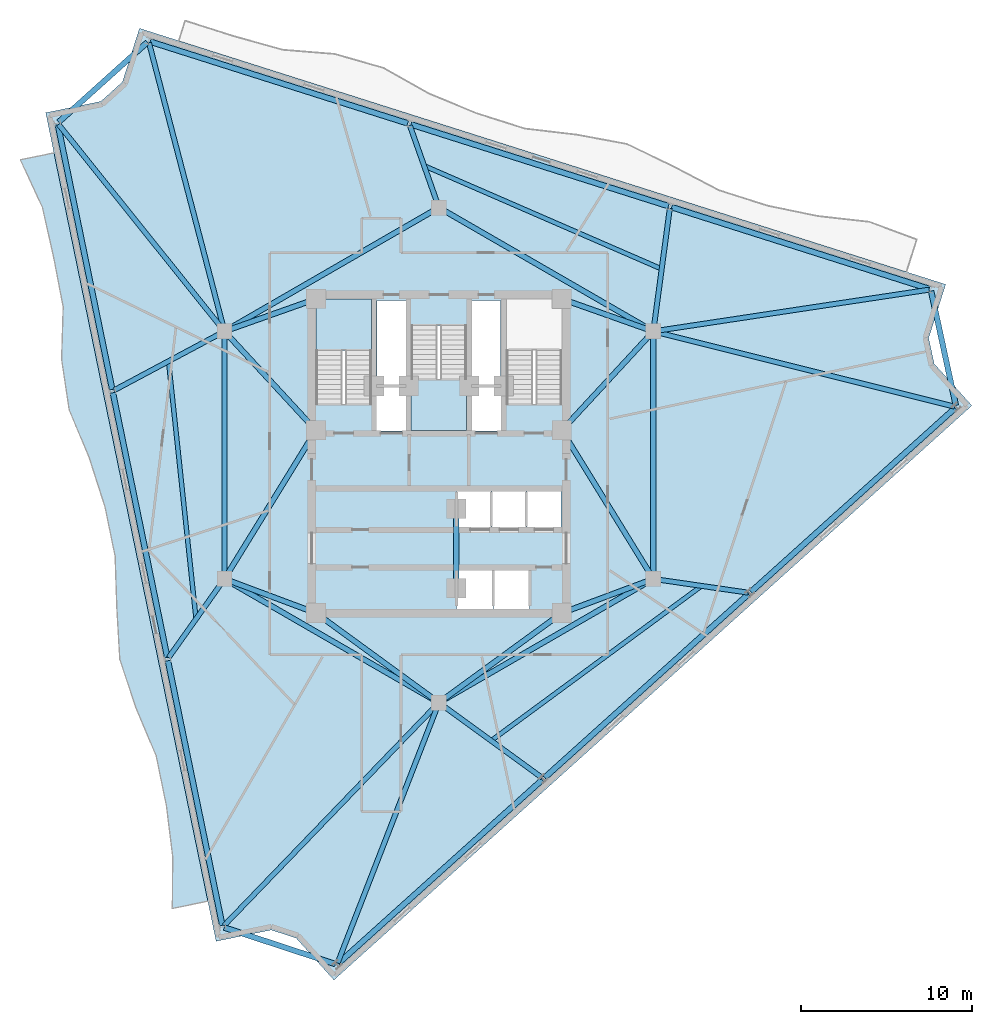
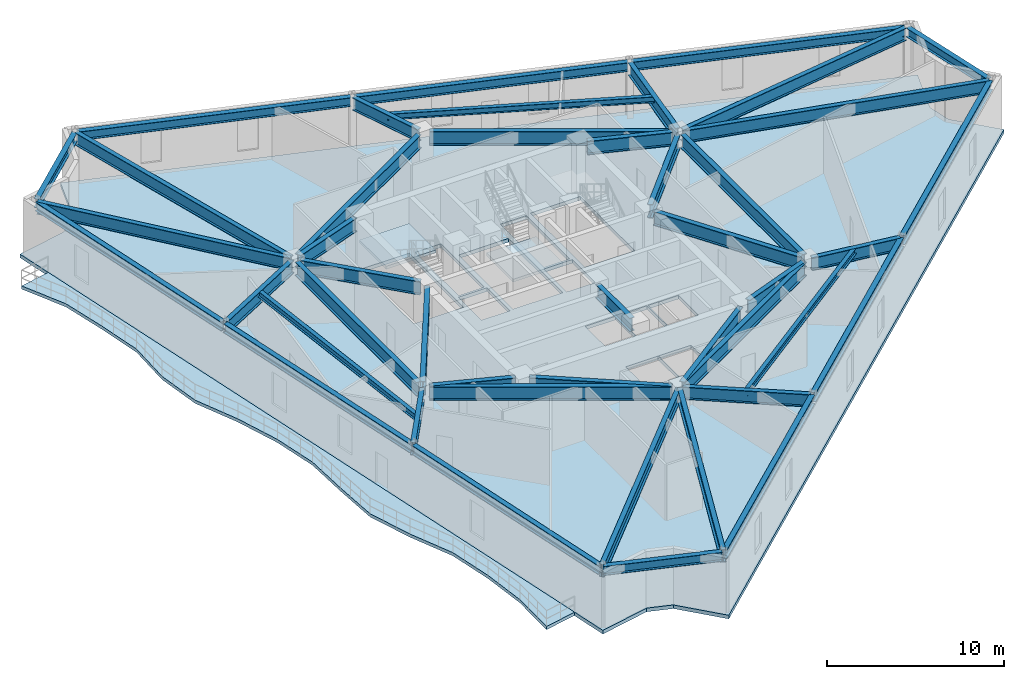
# One storey, part 4 of 11: 44 beams, 4 slabs, 2 elements without a shape of their own.
"""IFC4 building model written with IfcOpenShell, lengths in metres."""

from ifc_helpers import new_model, si_unit, direction, frame, origin, origin_2d, place, context, subcontext, project, spatial, polyline, i_section, outline, extrude, material, layer, layer_set, material_profile, profile_set, type_object, element, aggregate, save


model = new_model("IFC4")

# Units and contexts
model_context = context("Model", 3, precision=1e-05, world=origin(), true_north=direction((0.0, 1.0)))
body_context = subcontext(model_context, "Body", "Model", "MODEL_VIEW")
ifc_project = project(units=[si_unit("LENGTHUNIT", "METRE"), si_unit("AREAUNIT", "SQUARE_METRE"), si_unit("VOLUMEUNIT", "CUBIC_METRE"), si_unit("PLANEANGLEUNIT", "RADIAN"), si_unit("MASSUNIT", "GRAM", prefix="KILO")], contexts=[model_context])

# Site, building, storey
site_placement = place(None, origin())
site = spatial("IfcSite", under=ifc_project, at=site_placement, CompositionType="ELEMENT")
building_placement = place(site_placement, origin())
building = spatial("IfcBuilding", under=site, at=building_placement, Name="Apsidion Concourse Tower", CompositionType="ELEMENT")
storey_placement = place(building_placement, frame((0.0, 0.0, 252.699951171875)))
storey = spatial("IfcBuildingStorey", under=building, at=storey_placement, Name="L59", CompositionType="ELEMENT", Elevation=252.699951171875)

# Beams
ifc_material_1 = material(Name="Structural steel ASTM A992 Grade 50", Category="steel")
ifc_material_profile_1 = material_profile(ifc_material_1, i_section(OverallWidth=0.260009765625, OverallDepth=0.4150390625, WebThickness=0.010009765625, FlangeThickness=0.016845703125, at=origin_2d()), Name="W16X67")
ifc_profile_set_1 = profile_set([ifc_material_profile_1], Name="Structural steel ASTM A992 Grade 50")
beam_type_1 = type_object("IfcBeamType", Name="BM-FL-W16H", PredefinedType="BEAM", material=ifc_profile_set_1)
beam_1_placement = place(storey_placement, frame((-15.83642578125, 5.500732421875, 3.642578125), z_axis=(0.106172030497, -0.994347776153, 0.0), x_axis=(0.994347776153, 0.106172030497, 0.0)))
element("IfcBeam", 1, at=beam_1_placement, inside=storey, type_object=beam_type_1, Name="L59 Secondary Floor Beam SEC-F1", PredefinedType="BEAM", context=body_context, shape_type="SweptSolid", body=[
    extrude(i_section(OverallWidth=0.260009765625, OverallDepth=0.4150390625, WebThickness=0.010009765625, FlangeThickness=0.016845703125, at=origin_2d()), origin(), (0.0, 0.0, 1.0), 15.18359375),
])
beam_2_placement = place(storey_placement, frame((3.060791015625, -16.727294921875, 3.642578125), z_axis=(0.80548434449, 0.592617052389, 0.0), x_axis=(-0.592617052389, 0.80548434449, 0.0)))
element("IfcBeam", 2, at=beam_2_placement, inside=storey, type_object=beam_type_1, Name="L59 Secondary Floor Beam SEC-F2", PredefinedType="BEAM", context=body_context, shape_type="SweptSolid", body=[
    extrude(i_section(OverallWidth=0.260009765625, OverallDepth=0.4150390625, WebThickness=0.010009765625, FlangeThickness=0.016845703125, at=origin_2d()), origin(), (0.0, 0.0, 1.0), 15.301025390625),
])
beam_3_placement = place(storey_placement, frame((13.049560546875, 10.901611328125, 3.642578125), z_axis=(-0.917117371842, 0.398617267897, 0.0), x_axis=(-0.398617267897, -0.917117371842, 0.0)))
element("IfcBeam", 3, at=beam_3_placement, inside=storey, type_object=beam_type_1, Name="L59 Secondary Floor Beam SEC-F3", PredefinedType="BEAM", context=body_context, shape_type="SweptSolid", body=[
    extrude(i_section(OverallWidth=0.260009765625, OverallDepth=0.4150390625, WebThickness=0.010009765625, FlangeThickness=0.016845703125, at=origin_2d()), origin(), (0.0, 0.0, 1.0), 15.173828125),
])
ifc_material_profile_2 = material_profile(ifc_material_1, i_section(OverallWidth=0.2919921875, OverallDepth=0.85888671875, WebThickness=0.01708984375, FlangeThickness=0.031005859375, at=origin_2d()), Name="W33X169")
ifc_profile_set_2 = profile_set([ifc_material_profile_2], Name="Structural steel ASTM A992 Grade 50")
beam_type_2 = type_object("IfcBeamType", Name="BM-G-W33", PredefinedType="USERDEFINED", material=ifc_profile_set_2)
beam_4_placement = place(storey_placement, frame((-12.697509765625, 7.421630859375, 3.420654296875), z_axis=(-0.625472520241, 0.780246196033, 0.0), x_axis=(-0.780246196033, -0.625472520241, 0.0)))
element("IfcBeam", 4, at=beam_4_placement, inside=storey, type_object=beam_type_2, Name="L59 Radial Floor Girder RAD-01", ObjectType="GIRDER", PredefinedType="USERDEFINED", context=body_context, shape_type="SweptSolid", body=[
    extrude(i_section(OverallWidth=0.2919921875, OverallDepth=0.85888671875, WebThickness=0.01708984375, FlangeThickness=0.031005859375, at=origin_2d()), origin(), (0.0, 0.0, 1.0), 15.311767578125),
])
beam_5_placement = place(storey_placement, frame((-12.754150390625, 7.146484375, 3.420654296875), z_axis=(-0.88214083385, -0.470985720861, 0.0), x_axis=(0.470985720861, -0.88214083385, 0.0)))
element("IfcBeam", 5, at=beam_5_placement, inside=storey, type_object=beam_type_2, Name="L59 Radial Floor Girder RAD-02", ObjectType="GIRDER", PredefinedType="USERDEFINED", context=body_context, shape_type="SweptSolid", body=[
    extrude(i_section(OverallWidth=0.2919921875, OverallDepth=0.85888671875, WebThickness=0.01708984375, FlangeThickness=0.031005859375, at=origin_2d()), origin(), (0.0, 0.0, 1.0), 7.1083984375),
])
beam_6_placement = place(storey_placement, frame((-12.687255859375, -7.429443359375, 3.420654296875), z_axis=(-0.578459758238, -0.815710921895, 0.0), x_axis=(0.815710921895, -0.578459758238, 0.0)))
element("IfcBeam", 6, at=beam_6_placement, inside=storey, type_object=beam_type_2, Name="L59 Radial Floor Girder RAD-03", ObjectType="GIRDER", PredefinedType="USERDEFINED", context=body_context, shape_type="SweptSolid", body=[
    extrude(i_section(OverallWidth=0.2919921875, OverallDepth=0.85888671875, WebThickness=0.01708984375, FlangeThickness=0.031005859375, at=origin_2d()), origin(), (0.0, 0.0, 1.0), 5.434326171875),
])
beam_7_placement = place(storey_placement, frame((-0.152587890625, -14.658447265625, 3.420654296875), z_axis=(-0.693982841632, -0.719991538506, 0.0), x_axis=(0.719991538506, -0.693982841632, 0.0)))
element("IfcBeam", 7, at=beam_7_placement, inside=storey, type_object=beam_type_2, Name="L59 Radial Floor Girder RAD-04", ObjectType="GIRDER", PredefinedType="USERDEFINED", context=body_context, shape_type="SweptSolid", body=[
    extrude(i_section(OverallWidth=0.2919921875, OverallDepth=0.85888671875, WebThickness=0.01708984375, FlangeThickness=0.031005859375, at=origin_2d()), origin(), (0.0, 0.0, 1.0), 17.928955078125),
])
beam_8_placement = place(storey_placement, frame((-0.079833984375, -14.705078125, 3.420654296875), z_axis=(-0.36254845311, -0.931964923775, 0.0), x_axis=(0.931964923775, -0.36254845311, 0.0)))
element("IfcBeam", 8, at=beam_8_placement, inside=storey, type_object=beam_type_2, Name="L59 Radial Floor Girder RAD-05", ObjectType="GIRDER", PredefinedType="USERDEFINED", context=body_context, shape_type="SweptSolid", body=[
    extrude(i_section(OverallWidth=0.2919921875, OverallDepth=0.85888671875, WebThickness=0.01708984375, FlangeThickness=0.031005859375, at=origin_2d()), origin(), (0.0, 0.0, 1.0), 16.14013671875),
])
beam_9_placement = place(storey_placement, frame((0.177978515625, -14.62939453125, 3.420654296875), z_axis=(0.808567158699, -0.588403900288, 0.0), x_axis=(0.588403900288, 0.808567158699, 0.0)))
element("IfcBeam", 9, at=beam_9_placement, inside=storey, type_object=beam_type_2, Name="L59 Radial Floor Girder RAD-06", ObjectType="GIRDER", PredefinedType="USERDEFINED", context=body_context, shape_type="SweptSolid", body=[
    extrude(i_section(OverallWidth=0.2919921875, OverallDepth=0.85888671875, WebThickness=0.01708984375, FlangeThickness=0.031005859375, at=origin_2d()), origin(), (0.0, 0.0, 1.0), 7.251220703125),
])
beam_10_placement = place(storey_placement, frame((12.777587890625, -7.281494140625, 3.420654296875), z_axis=(0.98964652534, -0.143526147032, 0.0), x_axis=(0.143526147032, 0.98964652534, 0.0)))
element("IfcBeam", 10, at=beam_10_placement, inside=storey, type_object=beam_type_2, Name="L59 Radial Floor Girder RAD-07", ObjectType="GIRDER", PredefinedType="USERDEFINED", context=body_context, shape_type="SweptSolid", body=[
    extrude(i_section(OverallWidth=0.2919921875, OverallDepth=0.85888671875, WebThickness=0.01708984375, FlangeThickness=0.031005859375, at=origin_2d()), origin(), (0.0, 0.0, 1.0), 5.390625),
])
beam_11_placement = place(storey_placement, frame((12.7734375, 7.19677734375, 3.420654296875), z_axis=(0.97015368983, -0.242490861907, 0.0), x_axis=(0.242490861907, 0.97015368983, 0.0)))
element("IfcBeam", 11, at=beam_11_placement, inside=storey, type_object=beam_type_2, Name="L59 Radial Floor Girder RAD-08", ObjectType="GIRDER", PredefinedType="USERDEFINED", context=body_context, shape_type="SweptSolid", body=[
    extrude(i_section(OverallWidth=0.2919921875, OverallDepth=0.85888671875, WebThickness=0.01708984375, FlangeThickness=0.031005859375, at=origin_2d()), origin(), (0.0, 0.0, 1.0), 17.96630859375),
])
beam_12_placement = place(storey_placement, frame((12.777587890625, 7.282958984375, 3.420654296875), z_axis=(0.988774311252, 0.149416737377, 0.0), x_axis=(-0.149416737377, 0.988774311252, 0.0)))
element("IfcBeam", 12, at=beam_12_placement, inside=storey, type_object=beam_type_2, Name="L59 Radial Floor Girder RAD-09", ObjectType="GIRDER", PredefinedType="USERDEFINED", context=body_context, shape_type="SweptSolid", body=[
    extrude(i_section(OverallWidth=0.2919921875, OverallDepth=0.85888671875, WebThickness=0.01708984375, FlangeThickness=0.031005859375, at=origin_2d()), origin(), (0.0, 0.0, 1.0), 16.11572265625),
])
beam_13_placement = place(storey_placement, frame((12.589111328125, 7.468017578125, 3.420654296875), z_axis=(0.13290103696, 0.99112931264, 0.0), x_axis=(-0.99112931264, 0.13290103696, 0.0)))
element("IfcBeam", 13, at=beam_13_placement, inside=storey, type_object=beam_type_2, Name="L59 Radial Floor Girder RAD-10", ObjectType="GIRDER", PredefinedType="USERDEFINED", context=body_context, shape_type="SweptSolid", body=[
    extrude(i_section(OverallWidth=0.2919921875, OverallDepth=0.85888671875, WebThickness=0.01708984375, FlangeThickness=0.031005859375, at=origin_2d()), origin(), (0.0, 0.0, 1.0), 7.048583984375),
])
beam_14_placement = place(storey_placement, frame((-0.073486328125, 14.70751953125, 3.420654296875), z_axis=(-0.333398660175, 0.94278594251, 0.0), x_axis=(-0.94278594251, -0.333398660175, 0.0)))
element("IfcBeam", 14, at=beam_14_placement, inside=storey, type_object=beam_type_2, Name="L59 Radial Floor Girder RAD-11", ObjectType="GIRDER", PredefinedType="USERDEFINED", context=body_context, shape_type="SweptSolid", body=[
    extrude(i_section(OverallWidth=0.2919921875, OverallDepth=0.85888671875, WebThickness=0.01708984375, FlangeThickness=0.031005859375, at=origin_2d()), origin(), (0.0, 0.0, 1.0), 4.877685546875),
])
beam_15_placement = place(storey_placement, frame((-12.61572265625, 7.462890625, 3.420654296875), z_axis=(-0.253011847296, 0.967463180244, 0.0), x_axis=(-0.967463180244, -0.253011847296, 0.0)))
element("IfcBeam", 15, at=beam_15_placement, inside=storey, type_object=beam_type_2, Name="L59 Radial Floor Girder RAD-12", ObjectType="GIRDER", PredefinedType="USERDEFINED", context=body_context, shape_type="SweptSolid", body=[
    extrude(i_section(OverallWidth=0.2919921875, OverallDepth=0.85888671875, WebThickness=0.01708984375, FlangeThickness=0.031005859375, at=origin_2d()), origin(), (0.0, 0.0, 1.0), 17.249267578125),
])
ifc_material_profile_3 = material_profile(ifc_material_1, i_section(OverallWidth=0.31005859375, OverallDepth=0.931884765625, WebThickness=0.02099609375, FlangeThickness=0.034423828125, at=origin_2d()), Name="W36X210")
ifc_profile_set_3 = profile_set([ifc_material_profile_3], Name="Structural steel ASTM A992 Grade 50")
beam_type_3 = type_object("IfcBeamType", Name="BM-G-W36", PredefinedType="USERDEFINED", material=ifc_profile_set_3)
beam_16_placement = place(storey_placement, frame((-12.185302734375, -7.389892578125, 3.384033203125), z_axis=(0.936913021145, -0.349562570664, 0.0), x_axis=(0.349562570664, 0.936913021145, 0.0)))
element("IfcBeam", 16, at=beam_16_placement, inside=storey, type_object=beam_type_3, Name="L59 Core Coupling Girder IC1-SC1", ObjectType="GIRDER", PredefinedType="USERDEFINED", context=body_context, shape_type="SweptSolid", body=[
    extrude(i_section(OverallWidth=0.31005859375, OverallDepth=0.931884765625, WebThickness=0.02099609375, FlangeThickness=0.034423828125, at=origin_2d()), origin(), (0.0, 0.0, 1.0), 4.921142578125),
])
beam_17_placement = place(storey_placement, frame((-12.35009765625, -6.909423828125, 3.384033203125), z_axis=(0.524524009763, 0.851395656074, 0.0), x_axis=(-0.851395656074, 0.524524009763, 0.0)))
element("IfcBeam", 17, at=beam_17_placement, inside=storey, type_object=beam_type_3, Name="L59 Core Coupling Girder IC1-SC6", ObjectType="GIRDER", PredefinedType="USERDEFINED", context=body_context, shape_type="SweptSolid", body=[
    extrude(i_section(OverallWidth=0.31005859375, OverallDepth=0.931884765625, WebThickness=0.02099609375, FlangeThickness=0.034423828125, at=origin_2d()), origin(), (0.0, 0.0, 1.0), 9.41845703125),
])
beam_18_placement = place(storey_placement, frame((12.185302734375, -7.389892578125, 3.384033203125), z_axis=(-0.936913021145, -0.349562570664, 0.0), x_axis=(0.349562570664, -0.936913021145, 0.0)))
element("IfcBeam", 18, at=beam_18_placement, inside=storey, type_object=beam_type_3, Name="L59 Core Coupling Girder IC2-SC2", ObjectType="GIRDER", PredefinedType="USERDEFINED", context=body_context, shape_type="SweptSolid", body=[
    extrude(i_section(OverallWidth=0.31005859375, OverallDepth=0.931884765625, WebThickness=0.02099609375, FlangeThickness=0.034423828125, at=origin_2d()), origin(), (0.0, 0.0, 1.0), 4.921142578125),
])
beam_19_placement = place(storey_placement, frame((12.35009765625, -6.909423828125, 3.384033203125), z_axis=(-0.524524009763, 0.851395656074, 0.0), x_axis=(-0.851395656074, -0.524524009763, 0.0)))
element("IfcBeam", 19, at=beam_19_placement, inside=storey, type_object=beam_type_3, Name="L59 Core Coupling Girder IC2-SC3", ObjectType="GIRDER", PredefinedType="USERDEFINED", context=body_context, shape_type="SweptSolid", body=[
    extrude(i_section(OverallWidth=0.31005859375, OverallDepth=0.931884765625, WebThickness=0.02099609375, FlangeThickness=0.034423828125, at=origin_2d()), origin(), (0.0, 0.0, 1.0), 9.41845703125),
])
beam_20_placement = place(storey_placement, frame((12.28857421875, 6.956298828125, 3.384033203125), z_axis=(-0.678712876106, -0.73440372535, 0.0), x_axis=(0.73440372535, -0.678712876106, 0.0)))
element("IfcBeam", 20, at=beam_20_placement, inside=storey, type_object=beam_type_3, Name="L59 Core Coupling Girder IC3-SC3", ObjectType="GIRDER", PredefinedType="USERDEFINED", context=body_context, shape_type="SweptSolid", body=[
    extrude(i_section(OverallWidth=0.31005859375, OverallDepth=0.931884765625, WebThickness=0.02099609375, FlangeThickness=0.034423828125, at=origin_2d()), origin(), (0.0, 0.0, 1.0), 7.097412109375),
])
beam_21_placement = place(storey_placement, frame((12.18310546875, 7.383544921875, 3.384033203125), z_axis=(-0.942533844539, 0.334110688094, 0.0), x_axis=(-0.334110688094, -0.942533844539, 0.0)))
element("IfcBeam", 21, at=beam_21_placement, inside=storey, type_object=beam_type_3, Name="L59 Core Coupling Girder IC3-SC4", ObjectType="GIRDER", PredefinedType="USERDEFINED", context=body_context, shape_type="SweptSolid", body=[
    extrude(i_section(OverallWidth=0.31005859375, OverallDepth=0.931884765625, WebThickness=0.02099609375, FlangeThickness=0.034423828125, at=origin_2d()), origin(), (0.0, 0.0, 1.0), 4.886962890625),
])
beam_22_placement = place(storey_placement, frame((-12.28857421875, 6.956298828125, 3.384033203125), z_axis=(0.678712876106, -0.73440372535, 0.0), x_axis=(0.73440372535, 0.678712876106, 0.0)))
element("IfcBeam", 22, at=beam_22_placement, inside=storey, type_object=beam_type_3, Name="L59 Core Coupling Girder IC5-SC6", ObjectType="GIRDER", PredefinedType="USERDEFINED", context=body_context, shape_type="SweptSolid", body=[
    extrude(i_section(OverallWidth=0.31005859375, OverallDepth=0.931884765625, WebThickness=0.02099609375, FlangeThickness=0.034423828125, at=origin_2d()), origin(), (0.0, 0.0, 1.0), 7.097412109375),
])
beam_23_placement = place(storey_placement, frame((-12.18310546875, 7.383544921875, 3.384033203125), z_axis=(0.942533844539, 0.334110688094, 0.0), x_axis=(-0.334110688094, 0.942533844539, 0.0)))
element("IfcBeam", 23, at=beam_23_placement, inside=storey, type_object=beam_type_3, Name="L59 Core Coupling Girder IC5-SC5", ObjectType="GIRDER", PredefinedType="USERDEFINED", context=body_context, shape_type="SweptSolid", body=[
    extrude(i_section(OverallWidth=0.31005859375, OverallDepth=0.931884765625, WebThickness=0.02099609375, FlangeThickness=0.034423828125, at=origin_2d()), origin(), (0.0, 0.0, 1.0), 4.886962890625),
])
for number, where, z_axis, x_axis, name in (
    (24, (-0.3232421875, -14.264404296875, 3.384033203125), (-0.807993498909, 0.589191399905, 0.0), (-0.589191399905, -0.807993498909, 0.0), "L59 Core Coupling Girder IC6-SC1"),
    (25, (0.3232421875, -14.264404296875, 3.384033203125), (0.807993498909, 0.589191399905, 0.0), (-0.589191399905, 0.807993498909, 0.0), "L59 Core Coupling Girder IC6-SC2"),
):
    element("IfcBeam", number, at=place(storey_placement, frame(where, z_axis=z_axis, x_axis=x_axis)), inside=storey, type_object=beam_type_3, Name=name, ObjectType="GIRDER", PredefinedType="USERDEFINED", context=body_context, shape_type="SweptSolid", body=[
        extrude(i_section(OverallWidth=0.31005859375, OverallDepth=0.931884765625, WebThickness=0.02099609375, FlangeThickness=0.034423828125, at=origin_2d()), origin(), (0.0, 0.0, 1.0), 8.11083984375),
    ])
beam_24_placement = place(storey_placement, frame((-12.56005859375, -6.85009765625, 3.384033203125), z_axis=(0.0, 1.0, 0.0), x_axis=(-1.0, 0.0, 0.0)))
element("IfcBeam", 26, at=beam_24_placement, inside=storey, type_object=beam_type_3, Name="L59 Core Coupling Girder IC1-IC5", ObjectType="GIRDER", PredefinedType="USERDEFINED", context=body_context, shape_type="SweptSolid", body=[
    extrude(i_section(OverallWidth=0.31005859375, OverallDepth=0.931884765625, WebThickness=0.02099609375, FlangeThickness=0.034423828125, at=origin_2d()), origin(), (0.0, 0.0, 1.0), 13.7001953125),
])
for number, where, z_axis, x_axis, name in (
    (27, (-12.213623046875, 7.449951171875, 3.384033203125), (0.866070471464, 0.499921932364, 0.0), (-0.499921932364, 0.866070471464, 0.0), "L59 Core Coupling Girder IC5-IC4"),
    (28, (0.346435546875, 14.300048828125, 3.384033203125), (0.866070471464, -0.499921932364, 0.0), (0.499921932364, 0.866070471464, 0.0), "L59 Core Coupling Girder IC4-IC3"),
):
    element("IfcBeam", number, at=place(storey_placement, frame(where, z_axis=z_axis, x_axis=x_axis)), inside=storey, type_object=beam_type_3, Name=name, ObjectType="GIRDER", PredefinedType="USERDEFINED", context=body_context, shape_type="SweptSolid", body=[
        extrude(i_section(OverallWidth=0.31005859375, OverallDepth=0.931884765625, WebThickness=0.02099609375, FlangeThickness=0.034423828125, at=origin_2d()), origin(), (0.0, 0.0, 1.0), 13.702392578125),
    ])
beam_25_placement = place(storey_placement, frame((12.56005859375, 6.85009765625, 3.384033203125), z_axis=(0.0, -1.0, 0.0), x_axis=(1.0, 0.0, 0.0)))
element("IfcBeam", 29, at=beam_25_placement, inside=storey, type_object=beam_type_3, Name="L59 Core Coupling Girder IC3-IC2", ObjectType="GIRDER", PredefinedType="USERDEFINED", context=body_context, shape_type="SweptSolid", body=[
    extrude(i_section(OverallWidth=0.31005859375, OverallDepth=0.931884765625, WebThickness=0.02099609375, FlangeThickness=0.034423828125, at=origin_2d()), origin(), (0.0, 0.0, 1.0), 13.7001953125),
])
for number, where, z_axis, x_axis, name in (
    (30, (12.213623046875, -7.449951171875, 3.384033203125), (-0.866070471464, -0.499921932364, 0.0), (0.499921932364, -0.866070471464, 0.0), "L59 Core Coupling Girder IC2-IC6"),
    (31, (-0.346435546875, -14.300048828125, 3.384033203125), (-0.866070471464, 0.499921932364, 0.0), (-0.499921932364, -0.866070471464, 0.0), "L59 Core Coupling Girder IC6-IC1"),
):
    element("IfcBeam", number, at=place(storey_placement, frame(where, z_axis=z_axis, x_axis=x_axis)), inside=storey, type_object=beam_type_3, Name=name, ObjectType="GIRDER", PredefinedType="USERDEFINED", context=body_context, shape_type="SweptSolid", body=[
        extrude(i_section(OverallWidth=0.31005859375, OverallDepth=0.931884765625, WebThickness=0.02099609375, FlangeThickness=0.034423828125, at=origin_2d()), origin(), (0.0, 0.0, 1.0), 13.702392578125),
    ])
beam_26_placement = place(storey_placement, frame((1.02490234375, -3.550048828125, 3.384033203125), z_axis=(0.0, -1.0, 0.0), x_axis=(1.0, 0.0, 0.0)))
element("IfcBeam", 32, at=beam_26_placement, inside=storey, type_object=beam_type_3, Name="L59 Core Coupling Girder CC5-CC6", ObjectType="GIRDER", PredefinedType="USERDEFINED", context=body_context, shape_type="SweptSolid", body=[
    extrude(i_section(OverallWidth=0.31005859375, OverallDepth=0.931884765625, WebThickness=0.02099609375, FlangeThickness=0.034423828125, at=origin_2d()), origin(), (0.0, 0.0, 1.0), 3.849853515625),
])
ifc_material_profile_4 = material_profile(ifc_material_1, i_section(OverallWidth=0.324951171875, OverallDepth=0.616943359375, WebThickness=0.013916015625, FlangeThickness=0.021484375, at=origin_2d()), Name="W24X117")
ifc_profile_set_4 = profile_set([ifc_material_profile_4], Name="Structural steel ASTM A992 Grade 50")
beam_type_4 = type_object("IfcBeamType", Name="BM-SP-W24", PredefinedType="SPANDREL", material=ifc_profile_set_4)
beam_27_placement = place(storey_placement, frame((-22.317138671875, 19.3486328125, 3.54150390625), z_axis=(0.201231912796, -0.979543627039, 0.0), x_axis=(0.979543627039, 0.201231912796, 0.0)))
element("IfcBeam", 33, at=beam_27_placement, inside=storey, type_object=beam_type_4, Name="L59 Perimeter Spandrel Girder SP-01", PredefinedType="SPANDREL", context=body_context, shape_type="SweptSolid", body=[
    extrude(i_section(OverallWidth=0.324951171875, OverallDepth=0.616943359375, WebThickness=0.013916015625, FlangeThickness=0.021484375, at=origin_2d()), origin(), (0.0, 0.0, 1.0), 15.822998046875),
])
beam_28_placement = place(storey_placement, frame((-19.0927734375, 3.6533203125, 3.54150390625), z_axis=(0.201234954239, -0.979543002217, 0.0), x_axis=(0.979543002217, 0.201234954239, 0.0)))
element("IfcBeam", 34, at=beam_28_placement, inside=storey, type_object=beam_type_4, Name="L59 Perimeter Spandrel Girder SP-02", PredefinedType="SPANDREL", context=body_context, shape_type="SweptSolid", body=[
    extrude(i_section(OverallWidth=0.324951171875, OverallDepth=0.616943359375, WebThickness=0.013916015625, FlangeThickness=0.021484375, at=origin_2d()), origin(), (0.0, 0.0, 1.0), 15.82275390625),
])
beam_29_placement = place(storey_placement, frame((-15.86865234375, -12.041748046875, 3.54150390625), z_axis=(0.201231912796, -0.979543627039, 0.0), x_axis=(0.979543627039, 0.201231912796, 0.0)))
element("IfcBeam", 35, at=beam_29_placement, inside=storey, type_object=beam_type_4, Name="L59 Perimeter Spandrel Girder SP-03", PredefinedType="SPANDREL", context=body_context, shape_type="SweptSolid", body=[
    extrude(i_section(OverallWidth=0.324951171875, OverallDepth=0.616943359375, WebThickness=0.013916015625, FlangeThickness=0.021484375, at=origin_2d()), origin(), (0.0, 0.0, 1.0), 15.822998046875),
])
beam_30_placement = place(storey_placement, frame((-12.5693359375, -27.67041015625, 3.54150390625), z_axis=(0.950000938621, -0.312247044211, 0.0), x_axis=(0.312247044211, 0.950000938621, 0.0)))
element("IfcBeam", 36, at=beam_30_placement, inside=storey, type_object=beam_type_4, Name="L59 Perimeter Spandrel Girder SP-04", PredefinedType="SPANDREL", context=body_context, shape_type="SweptSolid", body=[
    extrude(i_section(OverallWidth=0.324951171875, OverallDepth=0.616943359375, WebThickness=0.013916015625, FlangeThickness=0.021484375, at=origin_2d()), origin(), (0.0, 0.0, 1.0), 6.849365234375),
])
for number, where, z_axis, x_axis, name in (
    (37, (-5.893310546875, -29.773193359375, 3.54150390625), (0.743150581284, 0.669124213833, 0.0), (-0.669124213833, 0.743150581284, 0.0), "L59 Perimeter Spandrel Girder SP-05"),
    (38, (6.196044921875, -18.887939453125, 3.54150390625), (0.743150581284, 0.669124213833, 0.0), (-0.669124213833, 0.743150581284, 0.0), "L59 Perimeter Spandrel Girder SP-06"),
    (39, (18.285400390625, -8.002685546875, 3.54150390625), (0.743150581284, 0.669124213833, 0.0), (-0.669124213833, 0.743150581284, 0.0), "L59 Perimeter Spandrel Girder SP-07"),
):
    element("IfcBeam", number, at=place(storey_placement, frame(where, z_axis=z_axis, x_axis=x_axis)), inside=storey, type_object=beam_type_4, Name=name, PredefinedType="SPANDREL", context=body_context, shape_type="SweptSolid", body=[
        extrude(i_section(OverallWidth=0.324951171875, OverallDepth=0.616943359375, WebThickness=0.013916015625, FlangeThickness=0.021484375, at=origin_2d()), origin(), (0.0, 0.0, 1.0), 16.06787109375),
    ])
beam_31_placement = place(storey_placement, frame((30.279541015625, 2.91357421875, 3.54150390625), z_axis=(-0.211269287353, 0.977427894129, 0.0), x_axis=(-0.977427894129, -0.211269287353, 0.0)))
element("IfcBeam", 40, at=beam_31_placement, inside=storey, type_object=beam_type_4, Name="L59 Perimeter Spandrel Girder SP-08", PredefinedType="SPANDREL", context=body_context, shape_type="SweptSolid", body=[
    extrude(i_section(OverallWidth=0.324951171875, OverallDepth=0.616943359375, WebThickness=0.013916015625, FlangeThickness=0.021484375, at=origin_2d()), origin(), (0.0, 0.0, 1.0), 6.84912109375),
])
for number, where, z_axis, x_axis, name in (
    (41, (28.716064453125, 9.736083984375, 3.54150390625), (-0.953145595639, 0.302511939458, 0.0), (-0.302511939458, -0.953145595639, 0.0), "L59 Perimeter Spandrel Girder SP-09"),
    (42, (13.44384765625, 14.58349609375, 3.54150390625), (-0.953145595639, 0.302511939458, 0.0), (-0.302511939458, -0.953145595639, 0.0), "L59 Perimeter Spandrel Girder SP-10"),
    (43, (-1.828369140625, 19.4306640625, 3.54150390625), (-0.953145595639, 0.302511939458, 0.0), (-0.302511939458, -0.953145595639, 0.0), "L59 Perimeter Spandrel Girder SP-11"),
):
    element("IfcBeam", number, at=place(storey_placement, frame(where, z_axis=z_axis, x_axis=x_axis)), inside=storey, type_object=beam_type_4, Name=name, PredefinedType="SPANDREL", context=body_context, shape_type="SweptSolid", body=[
        extrude(i_section(OverallWidth=0.324951171875, OverallDepth=0.616943359375, WebThickness=0.013916015625, FlangeThickness=0.021484375, at=origin_2d()), origin(), (0.0, 0.0, 1.0), 15.822998046875),
    ])
beam_32_placement = place(storey_placement, frame((-17.07958984375, 24.1806640625, 3.54150390625), z_axis=(-0.743153149962, -0.669121360966, 0.0), x_axis=(0.669121360966, -0.743153149962, 0.0)))
element("IfcBeam", 44, at=beam_32_placement, inside=storey, type_object=beam_type_4, Name="L59 Perimeter Spandrel Girder SP-12", PredefinedType="SPANDREL", context=body_context, shape_type="SweptSolid", body=[
    extrude(i_section(OverallWidth=0.324951171875, OverallDepth=0.616943359375, WebThickness=0.013916015625, FlangeThickness=0.021484375, at=origin_2d()), origin(), (0.0, 0.0, 1.0), 6.974853515625),
])

# Slabs
ifc_material_2 = material(Name="Concrete C50/60", Category="concrete")
ifc_layer_1 = layer(ifc_material_2, 0.219970703125)
ifc_layer_set_1 = layer_set([ifc_layer_1], Name="Concrete C50/60")
slab_type_1 = type_object("IfcSlabType", Name="SL-BAL-220", PredefinedType="FLOOR", material=ifc_layer_set_1)
slab_1_placement = place(storey_placement, frame((0.0, 0.0, -0.219970703125)))
element("IfcSlab", 45, at=slab_1_placement, inside=storey, type_object=slab_type_1, Name="L59 Face 1 Rippling Balcony Slab", PredefinedType="FLOOR", context=body_context, shape_type="SweptSolid", body=[
    extrude(outline(polyline([(-22.54541015625, 17.70361328125), (-21.9443359375, 14.781494140625), (-21.343505859375, 11.859619140625), (-20.74267578125, 8.93798828125), (-20.141845703125, 6.01611328125), (-19.541015625, 3.093994140625), (-18.940185546875, 0.17236328125), (-18.339111328125, -2.74951171875), (-17.73828125, -5.67138671875), (-17.137451171875, -8.593505859375), (-16.53662109375, -11.51513671875), (-15.935791015625, -14.43701171875), (-15.3349609375, -17.35888671875), (-14.734130859375, -20.28076171875), (-14.13330078125, -23.20263671875), (-13.5322265625, -26.12451171875), (-15.611572265625, -26.55224609375), (-15.592041015625, -23.502685546875), (-15.95849609375, -20.53271484375), (-16.559326171875, -17.61083984375), (-17.739990234375, -14.80810546875), (-18.690185546875, -11.9580078125), (-18.86376953125, -8.9482421875), (-18.962646484375, -5.92333984375), (-19.563720703125, -3.00146484375), (-20.48388671875, -0.145263671875), (-21.6552734375, 2.659423828125), (-22.09814453125, 5.61376953125), (-22.005615234375, 8.67822265625), (-22.56787109375, 11.60791015625), (-23.222900390625, 14.518798828125), (-24.513671875, 17.298583984375), (-22.54541015625, 17.70361328125)])), origin(), (0.0, 0.0, 1.0), 0.219970703125),
])
ifc_layer_2 = layer(ifc_material_2, 0.25)
ifc_layer_set_2 = layer_set([ifc_layer_2], Name="Concrete C50/60")
slab_type_2 = type_object("IfcSlabType", Name="SL-FLR-250", PredefinedType="FLOOR", material=ifc_layer_set_2)
slab_2_placement = place(storey_placement, frame((0.0, 0.0, -0.25)))
element("IfcSlab", 46, at=slab_2_placement, inside=storey, type_object=slab_type_2, Name="L59 Structural Floor Slab", PredefinedType="FLOOR", context=body_context, shape_type="SweptSolid", body=[
    extrude(outline(polyline([(-17.537353515625, 24.998779296875), (-18.535400390625, 21.8564453125), (-19.79931640625, 20.718505859375), (-23.02880859375, 20.05419921875), (-13.048828125, -28.475341796875), (-9.819580078125, -27.811279296875), (-8.354248046875, -28.292724609375), (-6.148193359375, -30.742919921875), (31.217041015625, 2.90087890625), (29.010986328125, 5.35107421875), (28.685302734375, 6.858642578125), (29.683349609375, 10.0009765625), (-17.537353515625, 24.998779296875)]), holes=[polyline([(-3.949951171875, 3.0), (-3.949951171875, 9.14990234375), (-7.199951171875, 9.14990234375), (-7.199951171875, 3.0), (-3.949951171875, 3.0)]), polyline([(7.199951171875, 3.0), (7.199951171875, 9.14990234375), (3.949951171875, 9.14990234375), (3.949951171875, 3.0), (7.199951171875, 3.0)]), polyline([(-1.625, 7.60009765625), (-1.625, 1.449951171875), (1.625, 1.449951171875), (1.625, 7.60009765625), (-1.625, 7.60009765625)]), polyline([(1.054931640625, -4.300048828125), (3.044921875, -4.300048828125), (3.044921875, -2.050048828125), (1.054931640625, -2.050048828125), (1.054931640625, -4.300048828125)]), polyline([(3.10498046875, -4.300048828125), (5.094970703125, -4.300048828125), (5.094970703125, -2.050048828125), (3.10498046875, -2.050048828125), (3.10498046875, -4.300048828125)]), polyline([(5.155029296875, -4.300048828125), (7.14501953125, -4.300048828125), (7.14501953125, -2.050048828125), (5.155029296875, -2.050048828125), (5.155029296875, -4.300048828125)]), polyline([(1.044921875, -9.0), (3.155029296875, -9.0), (3.155029296875, -6.64990234375), (1.044921875, -6.64990234375), (1.044921875, -9.0)]), polyline([(3.195068359375, -9.0), (5.304931640625, -9.0), (5.304931640625, -6.64990234375), (3.195068359375, -6.64990234375), (3.195068359375, -9.0)]), polyline([(-3.7099609375, 1.39990234375), (-1.85009765625, 1.39990234375), (-1.85009765625, 4.0), (-3.7099609375, 4.0), (-3.7099609375, 1.39990234375)]), polyline([(1.85009765625, 1.39990234375), (3.7099609375, 1.39990234375), (3.7099609375, 4.0), (1.85009765625, 4.0), (1.85009765625, 1.39990234375)]), polyline([(-3.6201171875, 4.14990234375), (-1.93994140625, 4.14990234375), (-1.93994140625, 9.050048828125), (-3.6201171875, 9.050048828125), (-3.6201171875, 4.14990234375)]), polyline([(1.93994140625, 4.14990234375), (3.6201171875, 4.14990234375), (3.6201171875, 9.050048828125), (1.93994140625, 9.050048828125), (1.93994140625, 4.14990234375)])]), origin(), (0.0, 0.0, 1.0), 0.25),
])

# Stair, slab
ifc_material_3 = material(Name="Precast concrete C40/50", Category="concrete")
stair_type = type_object("IfcStairType", Name="ST-DL-1550", PredefinedType="HALF_TURN_STAIR", material=ifc_material_3)
stair_1_placement = place(storey_placement, origin())
stair_1 = element("IfcStair", 47, at=stair_1_placement, inside=storey, type_object=stair_type, Name="L59 Protected Core Exit Stair ST1", PredefinedType="HALF_TURN_STAIR")
ifc_layer_3 = layer(ifc_material_2, 0.199951171875)
ifc_layer_set_3 = layer_set([ifc_layer_3], Name="Concrete C50/60")
slab_type_3 = type_object("IfcSlabType", Name="SL-ST-LAND-200", PredefinedType="LANDING", material=ifc_layer_set_3)
slab_3_placement = place(storey_placement, frame((0.0, 0.0, 1.85009765625)))
slab_3 = element("IfcSlab", 48, at=slab_3_placement, type_object=slab_type_3, Name="ST1 landing 1", PredefinedType="LANDING", context=body_context, shape_type="SweptSolid", body=[
    extrude(outline(polyline([(-3.949951171875, 6.135009765625), (-3.949951171875, 9.14990234375), (-7.199951171875, 9.14990234375), (-7.199951171875, 6.135009765625), (-3.949951171875, 6.135009765625)])), origin(), (0.0, 0.0, 1.0), 0.199951171875),
])
aggregate(stair_1, [slab_3])

stair_2_placement = place(storey_placement, origin())
stair_2 = element("IfcStair", 49, at=stair_2_placement, inside=storey, type_object=stair_type, Name="L59 Protected Core Exit Stair ST3", PredefinedType="HALF_TURN_STAIR")
slab_4_placement = place(storey_placement, frame((0.0, 0.0, 1.85009765625)))
slab_4 = element("IfcSlab", 50, at=slab_4_placement, type_object=slab_type_3, Name="ST3 landing 1", PredefinedType="LANDING", context=body_context, shape_type="SweptSolid", body=[
    extrude(outline(polyline([(-1.625, 4.465087890625), (-1.625, 1.449951171875), (1.625, 1.449951171875), (1.625, 4.465087890625), (-1.625, 4.465087890625)])), origin(), (0.0, 0.0, 1.0), 0.199951171875),
])
aggregate(stair_2, [slab_4])

save(model, "model.ifc")
